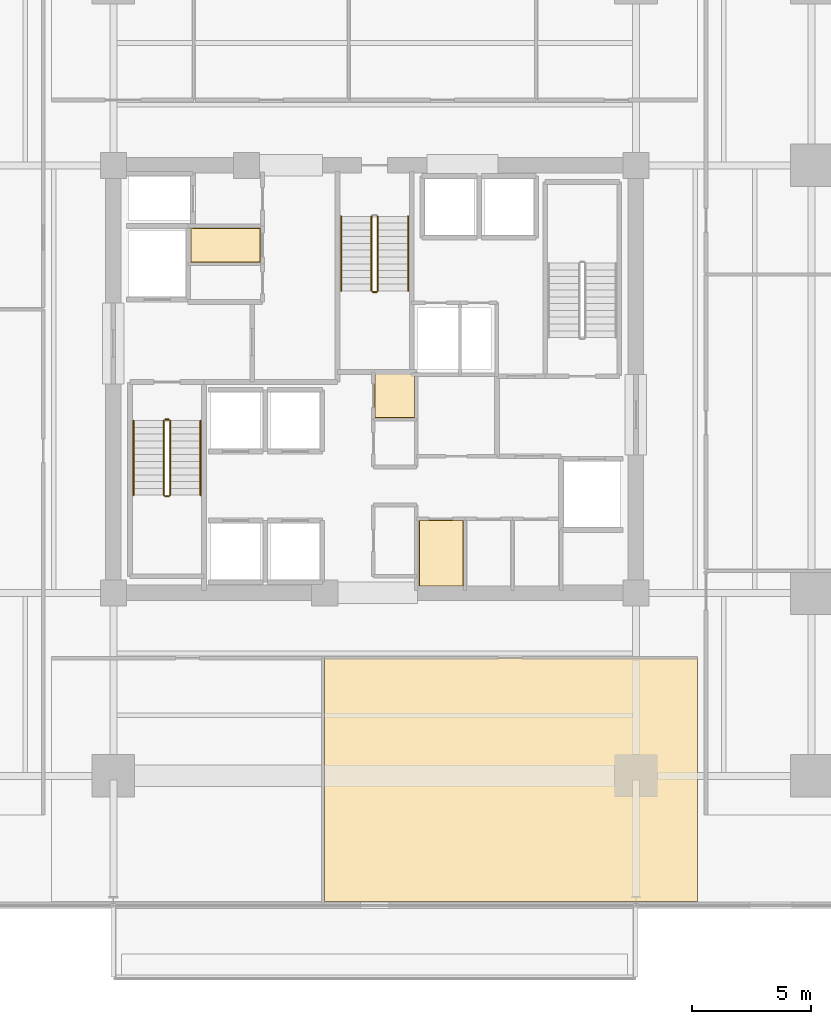
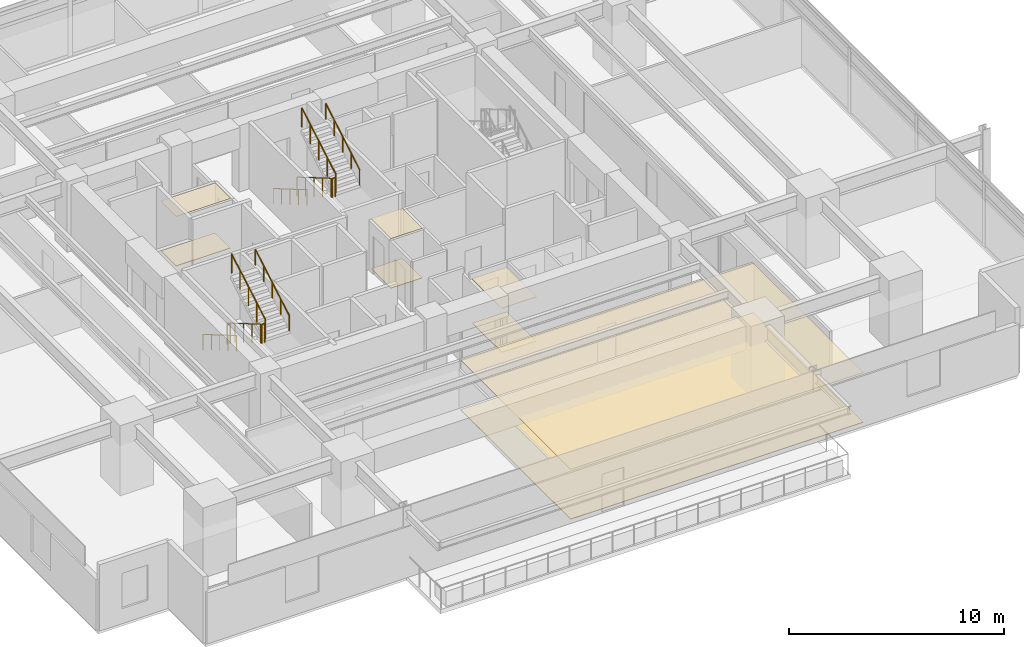
# One storey, part 19 of 22: 11 railings, 8 coverings.
"""IFC4 building model written with IfcOpenShell, lengths in metres."""

from ifc_helpers import new_model, si_unit, direction, frame, origin, origin_2d, place, context, subcontext, project, spatial, polyline, circle, outline, extrude, material, layer, layer_set, type_object, element, save


model = new_model("IFC4")

# Units and contexts
model_context = context("Model", 3, precision=1e-05, world=origin(), true_north=direction((0.0, 1.0)))
body_context = subcontext(model_context, "Body", "Model", "MODEL_VIEW")
ifc_project = project(units=[si_unit("LENGTHUNIT", "METRE"), si_unit("AREAUNIT", "SQUARE_METRE"), si_unit("VOLUMEUNIT", "CUBIC_METRE"), si_unit("PLANEANGLEUNIT", "RADIAN"), si_unit("MASSUNIT", "GRAM", prefix="KILO")], contexts=[model_context])

# Site, building, storey
site_placement = place(None, origin())
site = spatial("IfcSite", under=ifc_project, at=site_placement, CompositionType="ELEMENT")
building_placement = place(site_placement, origin())
building = spatial("IfcBuilding", under=site, at=building_placement, Name="Kovane Verandah Tower", CompositionType="ELEMENT")
storey_placement = place(building_placement, frame((0.0, 0.0, 51.60009765625)))
storey = spatial("IfcBuildingStorey", under=building, at=storey_placement, Name="L11", CompositionType="ELEMENT", Elevation=51.60009765625)

# Coverings
ifc_material_1 = material(Name="Perforated Acoustic Mineral-Fibre Ceiling Tile", Category="gypsum")
ifc_layer_1 = layer(ifc_material_1, 0.02490234375)
ifc_layer_set_1 = layer_set([ifc_layer_1], Name="Perforated Acoustic Mineral-Fibre Ceiling Tile")
covering_type_1 = type_object("IfcCoveringType", Name="CV-CEIL-25", PredefinedType="CEILING", material=ifc_layer_set_1)
covering_1_placement = place(storey_placement, frame((0.0, 0.0, 2.514892578125)))
element("IfcCovering", 1, at=covering_1_placement, inside=storey, type_object=covering_type_1, Name="L11 Mail and Copy Room Acoustic Ceiling", PredefinedType="CEILING", context=body_context, shape_type="SweptSolid", body=[
    extrude(outline(polyline([(41.864990234375, 18.784912109375), (43.735107421875, 18.784912109375), (43.735107421875, 21.56494140625), (41.864990234375, 21.56494140625), (41.864990234375, 18.784912109375)])), origin(), (0.0, 0.0, 1.0), 0.02490234375),
])
covering_2_placement = place(storey_placement, frame((0.0, 0.0, 2.824951171875)))
element("IfcCovering", 2, at=covering_2_placement, inside=storey, type_object=covering_type_1, Name="L11 North-West First Aid Room Acoustic Ceiling", PredefinedType="CEILING", context=body_context, shape_type="SweptSolid", body=[
    extrude(outline(polyline([(32.264892578125, 32.4150390625), (35.195068359375, 32.4150390625), (35.195068359375, 33.864990234375), (32.264892578125, 33.864990234375), (32.264892578125, 32.4150390625)])), origin(), (0.0, 0.0, 1.0), 0.02490234375),
])
covering_3_placement = place(storey_placement, frame((0.0, 0.0, 2.824951171875)))
element("IfcCovering", 3, at=covering_3_placement, inside=storey, type_object=covering_type_1, Name="L11 Central First Aid and Wellness Room Acoustic Ceiling", PredefinedType="CEILING", context=body_context, shape_type="SweptSolid", body=[
    extrude(outline(polyline([(40.0048828125, 25.864990234375), (41.695068359375, 25.864990234375), (41.695068359375, 27.735107421875), (40.0048828125, 27.735107421875), (40.0048828125, 25.864990234375)])), origin(), (0.0, 0.0, 1.0), 0.02490234375),
])
covering_4_placement = place(storey_placement, frame((0.0, 0.0, 2.824951171875)))
element("IfcCovering", 4, at=covering_4_placement, inside=storey, type_object=covering_type_1, Name="L11 Document and Print Room S2 Acoustic Ceiling", PredefinedType="CEILING", context=body_context, shape_type="SweptSolid", body=[
    extrude(outline(polyline([(37.89404296875, 5.50390625), (53.60009765625, 5.50390625), (53.60009765625, 15.75), (37.89404296875, 15.75), (37.89404296875, 5.50390625)])), origin(), (0.0, 0.0, 1.0), 0.02490234375),
])
ifc_material_2 = material(Name="Polished Terrazzo and Raised-Access Carpet Tile Finish", Category="concrete")
ifc_layer_2 = layer(ifc_material_2, 0.030029296875)
ifc_layer_set_2 = layer_set([ifc_layer_2], Name="Polished Terrazzo and Raised-Access Carpet Tile Finish")
covering_type_2 = type_object("IfcCoveringType", Name="CV-FLOR-30", PredefinedType="FLOORING", material=ifc_layer_set_2)
covering_5_placement = place(storey_placement, origin())
element("IfcCovering", 5, at=covering_5_placement, inside=storey, type_object=covering_type_2, Name="L11 Mail and Copy Room Floor Finish", PredefinedType="FLOORING", context=body_context, shape_type="SweptSolid", body=[
    extrude(outline(polyline([(41.8798828125, 18.800048828125), (43.719970703125, 18.800048828125), (43.719970703125, 21.550048828125), (41.8798828125, 21.550048828125), (41.8798828125, 18.800048828125)])), origin(), (0.0, 0.0, 1.0), 0.02978515625),
])
covering_6_placement = place(storey_placement, origin())
element("IfcCovering", 6, at=covering_6_placement, inside=storey, type_object=covering_type_2, Name="L11 North-West First Aid Room Floor Finish", PredefinedType="FLOORING", context=body_context, shape_type="SweptSolid", body=[
    extrude(outline(polyline([(32.280029296875, 32.429931640625), (35.179931640625, 32.429931640625), (35.179931640625, 33.85009765625), (32.280029296875, 33.85009765625), (32.280029296875, 32.429931640625)])), origin(), (0.0, 0.0, 1.0), 0.02978515625),
])
covering_7_placement = place(storey_placement, origin())
element("IfcCovering", 7, at=covering_7_placement, inside=storey, type_object=covering_type_2, Name="L11 Central First Aid and Wellness Room Floor Finish", PredefinedType="FLOORING", context=body_context, shape_type="SweptSolid", body=[
    extrude(outline(polyline([(40.02001953125, 25.8798828125), (41.679931640625, 25.8798828125), (41.679931640625, 27.719970703125), (40.02001953125, 27.719970703125), (40.02001953125, 25.8798828125)])), origin(), (0.0, 0.0, 1.0), 0.02978515625),
])
covering_8_placement = place(storey_placement, origin())
element("IfcCovering", 8, at=covering_8_placement, inside=storey, type_object=covering_type_2, Name="L11 Document and Print Room S2 Floor Finish", PredefinedType="FLOORING", context=body_context, shape_type="SweptSolid", body=[
    extrude(outline(polyline([(37.89404296875, 5.50390625), (53.60009765625, 5.50390625), (53.60009765625, 15.75), (37.89404296875, 15.75), (37.89404296875, 5.50390625)])), origin(), (0.0, 0.0, 1.0), 0.02978515625),
])

# Railings
ifc_material_3 = material(Name="Brushed Stainless Steel Handrail", Category="steel")
railing_type_1 = type_object("IfcRailingType", Name="RL-HAND-920", PredefinedType="HANDRAIL", material=ifc_material_3)
railing_1_placement = place(storey_placement, frame((29.85009765625, 25.75, 0.16650390625)))
element("IfcRailing", 9, at=railing_1_placement, inside=storey, type_object=railing_type_1, Name="L11 ST-01 stair handrail 1", PredefinedType="HANDRAIL", context=body_context, shape_type="SweptSolid", body=[
    extrude(circle(Radius=0.02392578125, at=origin_2d()), frame((0.0, 0.0, 0.8759765625), z_axis=(0.0, -0.863210265497, 0.504844567704), x_axis=(1.0, 0.0, 0.0)), (0.0, 0.0, 1.0), 3.6318359375),
    extrude(circle(Radius=0.02099609375, at=origin_2d()), origin(), (0.0, 0.0, 1.0), 0.851806640625),
    extrude(circle(Radius=0.02099609375, at=origin_2d()), frame((0.0, -0.78369140625, 0.45849609375)), (0.0, 0.0, 1.0), 0.851806640625),
    extrude(circle(Radius=0.02099609375, at=origin_2d()), frame((0.0, -1.5673828125, 0.916748046875)), (0.0, 0.0, 1.0), 0.851806640625),
    extrude(circle(Radius=0.02099609375, at=origin_2d()), frame((0.0, -2.351318359375, 1.375)), (0.0, 0.0, 1.0), 0.851806640625),
    extrude(circle(Radius=0.02099609375, at=origin_2d()), frame((0.0, -3.135009765625, 1.83349609375)), (0.0, 0.0, 1.0), 0.851806640625),
])
railing_2_placement = place(storey_placement, frame((32.669921875, 22.614990234375, 2.16650390625)))
element("IfcRailing", 10, at=railing_2_placement, inside=storey, type_object=railing_type_1, Name="L11 ST-01 stair handrail 2", PredefinedType="HANDRAIL", context=body_context, shape_type="SweptSolid", body=[
    extrude(circle(Radius=0.02392578125, at=origin_2d()), frame((0.0, 0.0, 0.8759765625), z_axis=(0.0, 0.863210265497, 0.504844567704), x_axis=(-1.0, 0.0, 0.0)), (0.0, 0.0, 1.0), 3.6318359375),
    extrude(circle(Radius=0.02099609375, at=origin_2d()), origin(), (0.0, 0.0, 1.0), 0.851806640625),
    extrude(circle(Radius=0.02099609375, at=origin_2d()), frame((0.0, 0.78369140625, 0.45849609375)), (0.0, 0.0, 1.0), 0.851806640625),
    extrude(circle(Radius=0.02099609375, at=origin_2d()), frame((0.0, 1.5673828125, 0.916748046875)), (0.0, 0.0, 1.0), 0.851806640625),
    extrude(circle(Radius=0.02099609375, at=origin_2d()), frame((0.0, 2.351318359375, 1.375)), (0.0, 0.0, 1.0), 0.851806640625),
    extrude(circle(Radius=0.02099609375, at=origin_2d()), frame((0.0, 3.135009765625, 1.83349609375)), (0.0, 0.0, 1.0), 0.851806640625),
])
railing_3_placement = place(storey_placement, frame((38.590087890625, 34.35009765625, 0.16650390625)))
element("IfcRailing", 11, at=railing_3_placement, inside=storey, type_object=railing_type_1, Name="L11 ST-03 stair handrail 1", PredefinedType="HANDRAIL", context=body_context, shape_type="SweptSolid", body=[
    extrude(circle(Radius=0.02392578125, at=origin_2d()), frame((0.0, 0.0, 0.8759765625), z_axis=(0.0, -0.863210265497, 0.504844567704), x_axis=(1.0, 0.0, 0.0)), (0.0, 0.0, 1.0), 3.6318359375),
    extrude(circle(Radius=0.02099609375, at=origin_2d()), origin(), (0.0, 0.0, 1.0), 0.851806640625),
    extrude(circle(Radius=0.02099609375, at=origin_2d()), frame((0.0, -0.78369140625, 0.45849609375)), (0.0, 0.0, 1.0), 0.851806640625),
    extrude(circle(Radius=0.02099609375, at=origin_2d()), frame((0.0, -1.5673828125, 0.916748046875)), (0.0, 0.0, 1.0), 0.851806640625),
    extrude(circle(Radius=0.02099609375, at=origin_2d()), frame((0.0, -2.351318359375, 1.375)), (0.0, 0.0, 1.0), 0.851806640625),
    extrude(circle(Radius=0.02099609375, at=origin_2d()), frame((0.0, -3.135009765625, 1.83349609375)), (0.0, 0.0, 1.0), 0.851806640625),
])
railing_4_placement = place(storey_placement, frame((41.409912109375, 31.215087890625, 2.16650390625)))
element("IfcRailing", 12, at=railing_4_placement, inside=storey, type_object=railing_type_1, Name="L11 ST-03 stair handrail 2", PredefinedType="HANDRAIL", context=body_context, shape_type="SweptSolid", body=[
    extrude(circle(Radius=0.02392578125, at=origin_2d()), frame((0.0, 0.0, 0.8759765625), z_axis=(0.0, 0.863210265497, 0.504844567704), x_axis=(-1.0, 0.0, 0.0)), (0.0, 0.0, 1.0), 3.6318359375),
    extrude(circle(Radius=0.02099609375, at=origin_2d()), origin(), (0.0, 0.0, 1.0), 0.851806640625),
    extrude(circle(Radius=0.02099609375, at=origin_2d()), frame((0.0, 0.78369140625, 0.45849609375)), (0.0, 0.0, 1.0), 0.851806640625),
    extrude(circle(Radius=0.02099609375, at=origin_2d()), frame((0.0, 1.5673828125, 0.916748046875)), (0.0, 0.0, 1.0), 0.851806640625),
    extrude(circle(Radius=0.02099609375, at=origin_2d()), frame((0.0, 2.351318359375, 1.375)), (0.0, 0.0, 1.0), 0.851806640625),
    extrude(circle(Radius=0.02099609375, at=origin_2d()), frame((0.0, 3.135009765625, 1.83349609375)), (0.0, 0.0, 1.0), 0.851806640625),
])
ifc_material_4 = material(Name="Painted Steel Stairwell Guardrail", Category="steel")
railing_type_2 = type_object("IfcRailingType", Name="RL-STGUARD-1120", PredefinedType="GUARDRAIL", material=ifc_material_4)
railing_5_placement = place(storey_placement, frame((31.1298828125, 25.75, 0.16650390625)))
element("IfcRailing", 13, at=railing_5_placement, inside=storey, type_object=railing_type_2, Name="L11 ST-01 stair guard 1", PredefinedType="GUARDRAIL", context=body_context, shape_type="SweptSolid", body=[
    extrude(circle(Radius=0.02392578125, at=origin_2d()), frame((0.0, 0.0, 1.076171875), z_axis=(0.0, -0.863210265497, 0.504844567704), x_axis=(1.0, 0.0, 0.0)), (0.0, 0.0, 1.0), 3.6318359375),
    extrude(circle(Radius=0.02099609375, at=origin_2d()), origin(), (0.0, 0.0, 1.0), 1.052001953125),
    extrude(circle(Radius=0.02099609375, at=origin_2d()), frame((0.0, -0.78369140625, 0.45849609375)), (0.0, 0.0, 1.0), 1.052001953125),
    extrude(circle(Radius=0.02099609375, at=origin_2d()), frame((0.0, -1.5673828125, 0.916748046875)), (0.0, 0.0, 1.0), 1.052001953125),
    extrude(circle(Radius=0.02099609375, at=origin_2d()), frame((0.0, -2.351318359375, 1.375)), (0.0, 0.0, 1.0), 1.052001953125),
    extrude(circle(Radius=0.02099609375, at=origin_2d()), frame((0.0, -3.135009765625, 1.83349609375)), (0.0, 0.0, 1.0), 1.052001953125),
])
railing_6_placement = place(storey_placement, frame((31.179931640625, 22.56494140625, 2.0)))
element("IfcRailing", 14, at=railing_6_placement, inside=storey, type_object=railing_type_2, Name="L11 ST-01 stair guard 2", PredefinedType="GUARDRAIL", context=body_context, shape_type="SweptSolid", body=[
    extrude(circle(Radius=0.02392578125, at=origin_2d()), frame((0.0, 0.0, 1.076171875), z_axis=(1.0, 0.0, 0.0), x_axis=(0.0, 1.0, 0.0)), (0.0, 0.0, 1.0), 0.16015625),
    extrude(circle(Radius=0.02099609375, at=origin_2d()), origin(), (0.0, 0.0, 1.0), 1.052001953125),
    extrude(circle(Radius=0.02099609375, at=origin_2d()), frame((0.16015625, 0.0, 0.0)), (0.0, 0.0, 1.0), 1.052001953125),
])
railing_7_placement = place(storey_placement, frame((31.389892578125, 22.614990234375, 2.16650390625)))
element("IfcRailing", 15, at=railing_7_placement, inside=storey, type_object=railing_type_2, Name="L11 ST-01 stair guard 3", PredefinedType="GUARDRAIL", context=body_context, shape_type="SweptSolid", body=[
    extrude(circle(Radius=0.02392578125, at=origin_2d()), frame((0.0, 0.0, 1.076171875), z_axis=(0.0, 0.863210265497, 0.504844567704), x_axis=(-1.0, 0.0, 0.0)), (0.0, 0.0, 1.0), 3.6318359375),
    extrude(circle(Radius=0.02099609375, at=origin_2d()), origin(), (0.0, 0.0, 1.0), 1.052001953125),
    extrude(circle(Radius=0.02099609375, at=origin_2d()), frame((0.0, 0.78369140625, 0.45849609375)), (0.0, 0.0, 1.0), 1.052001953125),
    extrude(circle(Radius=0.02099609375, at=origin_2d()), frame((0.0, 1.5673828125, 0.916748046875)), (0.0, 0.0, 1.0), 1.052001953125),
    extrude(circle(Radius=0.02099609375, at=origin_2d()), frame((0.0, 2.351318359375, 1.375)), (0.0, 0.0, 1.0), 1.052001953125),
    extrude(circle(Radius=0.02099609375, at=origin_2d()), frame((0.0, 3.135009765625, 1.83349609375)), (0.0, 0.0, 1.0), 1.052001953125),
])
railing_8_placement = place(storey_placement, frame((31.179931640625, 25.800048828125, 0.0)))
element("IfcRailing", 16, at=railing_8_placement, inside=storey, type_object=railing_type_2, Name="L11 ST-01 stair guard 4", PredefinedType="GUARDRAIL", context=body_context, shape_type="SweptSolid", body=[
    extrude(circle(Radius=0.02392578125, at=origin_2d()), frame((0.0, 0.0, 1.076171875), z_axis=(1.0, 0.0, 0.0), x_axis=(0.0, 1.0, 0.0)), (0.0, 0.0, 1.0), 0.16015625),
    extrude(circle(Radius=0.02099609375, at=origin_2d()), origin(), (0.0, 0.0, 1.0), 1.052001953125),
    extrude(circle(Radius=0.02099609375, at=origin_2d()), frame((0.16015625, 0.0, 0.0)), (0.0, 0.0, 1.0), 1.052001953125),
])
railing_9_placement = place(storey_placement, frame((39.8701171875, 34.35009765625, 0.16650390625)))
element("IfcRailing", 17, at=railing_9_placement, inside=storey, type_object=railing_type_2, Name="L11 ST-03 stair guard 1", PredefinedType="GUARDRAIL", context=body_context, shape_type="SweptSolid", body=[
    extrude(circle(Radius=0.02392578125, at=origin_2d()), frame((0.0, 0.0, 1.076171875), z_axis=(0.0, -0.863210265497, 0.504844567704), x_axis=(1.0, 0.0, 0.0)), (0.0, 0.0, 1.0), 3.6318359375),
    extrude(circle(Radius=0.02099609375, at=origin_2d()), origin(), (0.0, 0.0, 1.0), 1.052001953125),
    extrude(circle(Radius=0.02099609375, at=origin_2d()), frame((0.0, -0.78369140625, 0.45849609375)), (0.0, 0.0, 1.0), 1.052001953125),
    extrude(circle(Radius=0.02099609375, at=origin_2d()), frame((0.0, -1.5673828125, 0.916748046875)), (0.0, 0.0, 1.0), 1.052001953125),
    extrude(circle(Radius=0.02099609375, at=origin_2d()), frame((0.0, -2.351318359375, 1.375)), (0.0, 0.0, 1.0), 1.052001953125),
    extrude(circle(Radius=0.02099609375, at=origin_2d()), frame((0.0, -3.135009765625, 1.83349609375)), (0.0, 0.0, 1.0), 1.052001953125),
])
railing_10_placement = place(storey_placement, frame((39.919921875, 31.1650390625, 2.0)))
element("IfcRailing", 18, at=railing_10_placement, inside=storey, type_object=railing_type_2, Name="L11 ST-03 stair guard 2", PredefinedType="GUARDRAIL", context=body_context, shape_type="SweptSolid", body=[
    extrude(circle(Radius=0.02392578125, at=origin_2d()), frame((0.0, 0.0, 1.076171875), z_axis=(1.0, 0.0, 0.0), x_axis=(0.0, 1.0, 0.0)), (0.0, 0.0, 1.0), 0.16015625),
    extrude(circle(Radius=0.02099609375, at=origin_2d()), origin(), (0.0, 0.0, 1.0), 1.052001953125),
    extrude(circle(Radius=0.02099609375, at=origin_2d()), frame((0.16015625, 0.0, 0.0)), (0.0, 0.0, 1.0), 1.052001953125),
])
railing_11_placement = place(storey_placement, frame((40.1298828125, 31.215087890625, 2.16650390625)))
element("IfcRailing", 19, at=railing_11_placement, inside=storey, type_object=railing_type_2, Name="L11 ST-03 stair guard 3", PredefinedType="GUARDRAIL", context=body_context, shape_type="SweptSolid", body=[
    extrude(circle(Radius=0.02392578125, at=origin_2d()), frame((0.0, 0.0, 1.076171875), z_axis=(0.0, 0.863210265497, 0.504844567704), x_axis=(-1.0, 0.0, 0.0)), (0.0, 0.0, 1.0), 3.6318359375),
    extrude(circle(Radius=0.02099609375, at=origin_2d()), origin(), (0.0, 0.0, 1.0), 1.052001953125),
    extrude(circle(Radius=0.02099609375, at=origin_2d()), frame((0.0, 0.78369140625, 0.45849609375)), (0.0, 0.0, 1.0), 1.052001953125),
    extrude(circle(Radius=0.02099609375, at=origin_2d()), frame((0.0, 1.5673828125, 0.916748046875)), (0.0, 0.0, 1.0), 1.052001953125),
    extrude(circle(Radius=0.02099609375, at=origin_2d()), frame((0.0, 2.351318359375, 1.375)), (0.0, 0.0, 1.0), 1.052001953125),
    extrude(circle(Radius=0.02099609375, at=origin_2d()), frame((0.0, 3.135009765625, 1.83349609375)), (0.0, 0.0, 1.0), 1.052001953125),
])

save(model, "model.ifc")
